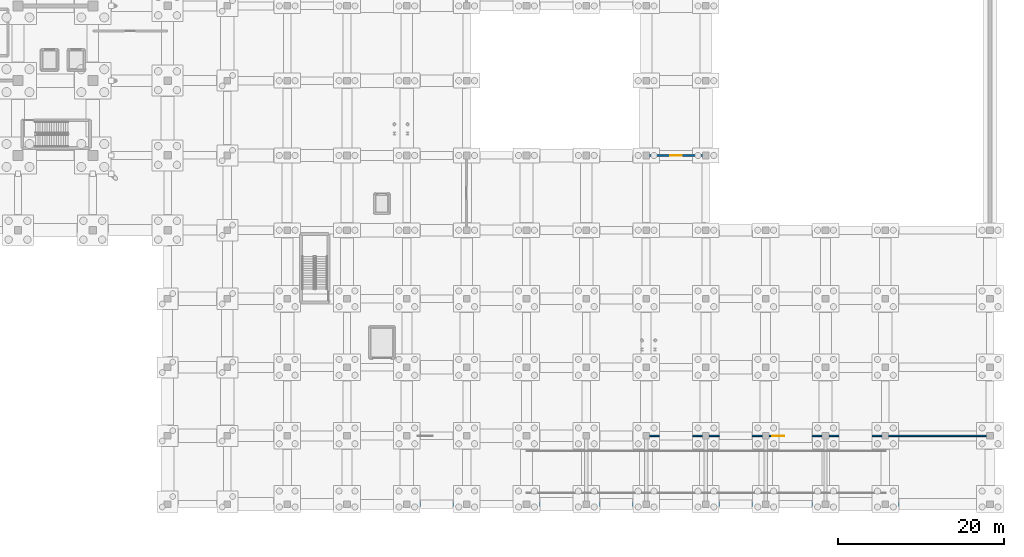
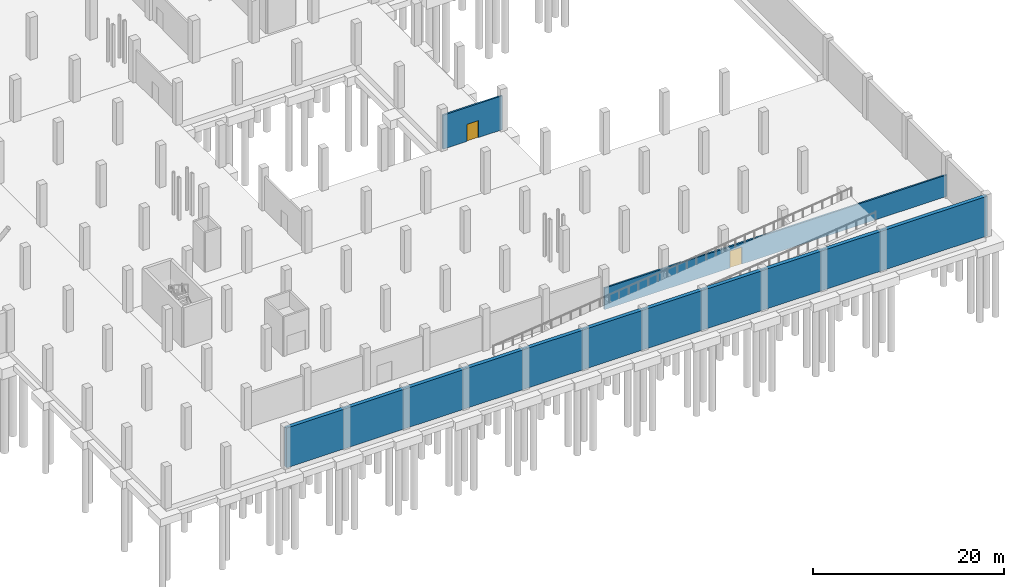
# One storey, part 30 of 42: 3 walls, 2 doors, 2 openings.
"""IFC4 building model written with IfcOpenShell, lengths in metres."""

from ifc_helpers import new_model, si_unit, direction, frame, frame_2d, origin, place, context, subcontext, project, spatial, rectangle, extrude, material, layer, layer_set, type_object, element, fill, save


model = new_model("IFC4")

# Units and contexts
model_context = context("Model", 3, precision=1e-05, world=origin(), true_north=direction((0.0, 1.0)))
body_context = subcontext(model_context, "Body", "Model", "MODEL_VIEW")
ifc_project = project(units=[si_unit("LENGTHUNIT", "METRE"), si_unit("AREAUNIT", "SQUARE_METRE"), si_unit("VOLUMEUNIT", "CUBIC_METRE"), si_unit("PLANEANGLEUNIT", "RADIAN"), si_unit("MASSUNIT", "GRAM", prefix="KILO")], contexts=[model_context])

# Site, building, storey
site_placement = place(None, origin())
site = spatial("IfcSite", under=ifc_project, at=site_placement, CompositionType="ELEMENT")
building_placement = place(site_placement, origin())
building = spatial("IfcBuilding", under=site, at=building_placement, Name="Sundgate Opera House", CompositionType="ELEMENT")
storey_placement = place(building_placement, frame((0.0, 0.0, -5.39990234375)))
storey = spatial("IfcBuildingStorey", under=building, at=storey_placement, Name="B01", CompositionType="ELEMENT", Elevation=-5.39990234375)

# Wall, opening, door
ifc_material_1 = material(Name="Fire-rated corridor partition", Category="gypsum")
ifc_layer_1 = layer(ifc_material_1, 0.199951171875)
ifc_layer_set_1 = layer_set([ifc_layer_1], Name="Fire-rated corridor partition")
wall_type_1 = type_object("IfcWallType", Name="WL-INT-FIRE-200", PredefinedType="PARTITIONING", material=ifc_layer_set_1)
wall_1_placement = place(storey_placement, frame((138.60009765625, 42.0, 0.0), z_axis=(0.0, 0.0, 1.0), x_axis=(1.0, 0.0, 0.0)))
wall_1 = element("IfcWall", 1, at=wall_1_placement, inside=storey, type_object=wall_type_1, Name="B01 Interior Partition W0976", PredefinedType="PARTITIONING", context=body_context, shape_type="SweptSolid", body=[
    extrude(rectangle(XDim=7.199951171875, YDim=0.199951171875, at=frame_2d((3.60009765625, 0.0))), origin(), (0.0, 0.0, 1.0), 4.344970703125),
])
opening_1_placement = place(wall_1_placement, frame((2.89990234375, 0.0, 0.0)))
opening_1 = element("IfcOpeningElement", 2, at=opening_1_placement, cuts=wall_1, Name="Opening DI09", PredefinedType="OPENING", context=body_context, shape_type="SweptSolid", body=[
    extrude(rectangle(XDim=1.39990234375, YDim=2.179931640625, at=frame_2d((0.699951171875, 1.08984375))), frame((0.0, 0.10986328125, 0.0), z_axis=(0.0, -1.0, 0.0), x_axis=(1.0, 0.0, 0.0)), (0.0, 0.0, 1.0), 0.219970703125),
])
ifc_material_2 = material(Name="Acoustic hardwood timber and steel core", Category="steel")
door_type = type_object("IfcDoorType", Name="DR-PLANT-1400x2180", OperationType="DOUBLE_DOOR_SINGLE_SWING", PredefinedType="DOOR", material=ifc_material_2)
door_1_placement = place(opening_1_placement, origin())
door_1 = element("IfcDoor", 3, at=door_1_placement, inside=storey, type_object=door_type, Name="B01 Interior Door D0164", OperationType="DOUBLE_DOOR_SINGLE_SWING", OverallHeight=2.179931640625, OverallWidth=1.39990234375, PredefinedType="DOOR", context=body_context, shape_type="SweptSolid", body=[
    extrude(rectangle(XDim=1.39990234375, YDim=2.179931640625, at=frame_2d((0.699951171875, 1.08984375))), frame((0.0, 0.02490234375, 0.0), z_axis=(0.0, -1.0, 0.0), x_axis=(1.0, 0.0, 0.0)), (0.0, 0.0, 1.0), 0.050048828125),
])
fill(opening_1, door_1)

wall_2_placement = place(storey_placement, frame((138.60009765625, 8.25, 0.0), z_axis=(0.0, 0.0, 1.0), x_axis=(1.0, 0.0, 0.0)))
wall_2 = element("IfcWall", 4, at=wall_2_placement, inside=storey, type_object=wall_type_1, Name="B01 Interior Partition W0978", PredefinedType="PARTITIONING", context=body_context, shape_type="SweptSolid", body=[
    extrude(rectangle(XDim=41.39990234375, YDim=0.199951171875, at=frame_2d((20.699951171875, 0.0))), origin(), (0.0, 0.0, 1.0), 2.734619140625),
])
opening_2_placement = place(wall_2_placement, frame((15.199951171875, 0.0, 0.0)))
opening_2 = element("IfcOpeningElement", 5, at=opening_2_placement, cuts=wall_2, Name="Opening DI09", PredefinedType="OPENING", context=body_context, shape_type="SweptSolid", body=[
    extrude(rectangle(XDim=1.39990234375, YDim=2.179931640625, at=frame_2d((0.699951171875, 1.08984375))), frame((0.0, 0.10986328125, 0.0), z_axis=(0.0, -1.0, 0.0), x_axis=(1.0, 0.0, 0.0)), (0.0, 0.0, 1.0), 0.219970703125),
])
door_2_placement = place(opening_2_placement, origin())
door_2 = element("IfcDoor", 6, at=door_2_placement, inside=storey, type_object=door_type, Name="B01 Interior Door D0166", OperationType="DOUBLE_DOOR_SINGLE_SWING", OverallHeight=2.179931640625, OverallWidth=1.39990234375, PredefinedType="DOOR", context=body_context, shape_type="SweptSolid", body=[
    extrude(rectangle(XDim=1.39990234375, YDim=2.179931640625, at=frame_2d((0.699951171875, 1.08984375))), frame((0.0, 0.02490234375, 0.0), z_axis=(0.0, -1.0, 0.0), x_axis=(1.0, 0.0, 0.0)), (0.0, 0.0, 1.0), 0.050048828125),
])
fill(opening_2, door_2)

# Wall
ifc_material_3 = material(Name="Concrete C35/45", Category="concrete")
ifc_layer_2 = layer(ifc_material_3, 0.449951171875)
ifc_layer_set_2 = layer_set([ifc_layer_2], Name="Concrete C35/45")
wall_type_2 = type_object("IfcWallType", Name="WL-RET-450", PredefinedType="USERDEFINED", material=ifc_layer_set_2)
wall_3_placement = place(storey_placement, frame((95.39990234375, 0.0, 0.0), z_axis=(0.0, 0.0, 1.0), x_axis=(1.0, 0.0, 0.0)))
element("IfcWall", 7, at=wall_3_placement, inside=storey, type_object=wall_type_2, Name="B01 Perimeter Retaining Wall W0006", ObjectType="RETAINING WALL", PredefinedType="USERDEFINED", context=body_context, shape_type="SweptSolid", body=[
    extrude(rectangle(XDim=84.60009765625, YDim=0.449951171875, at=frame_2d((42.300048828125, 0.0))), origin(), (0.0, 0.0, 1.0), 5.079833984375),
])

save(model, "model.ifc")
